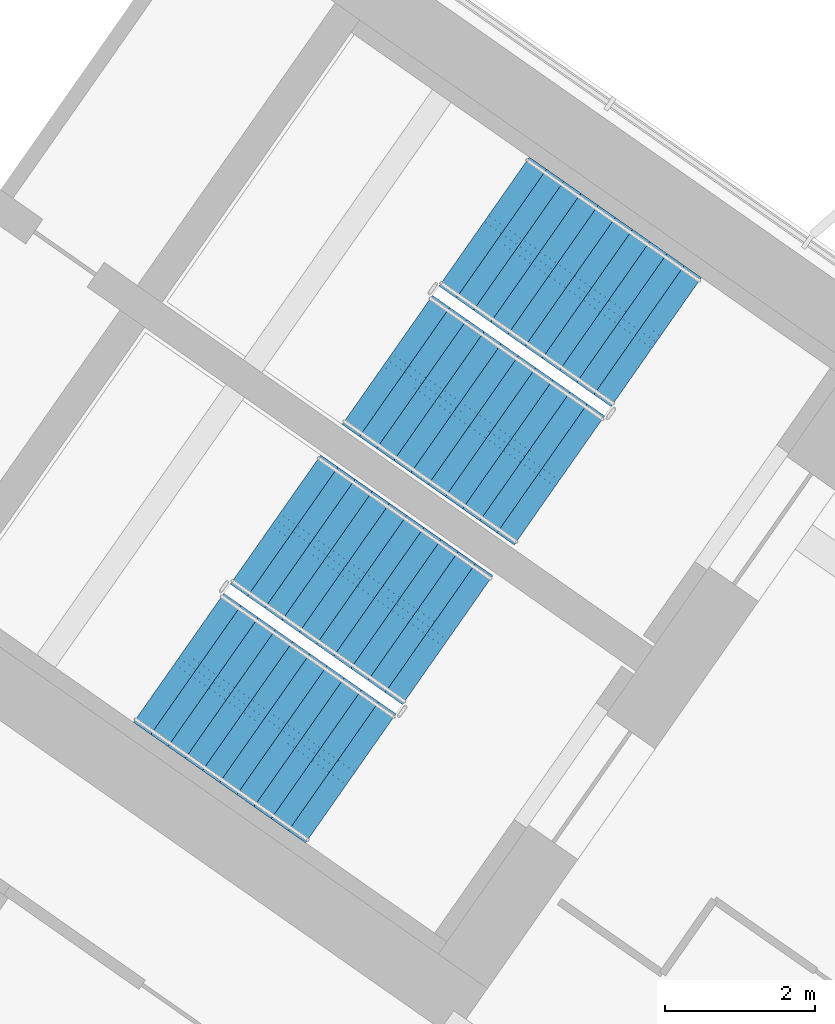
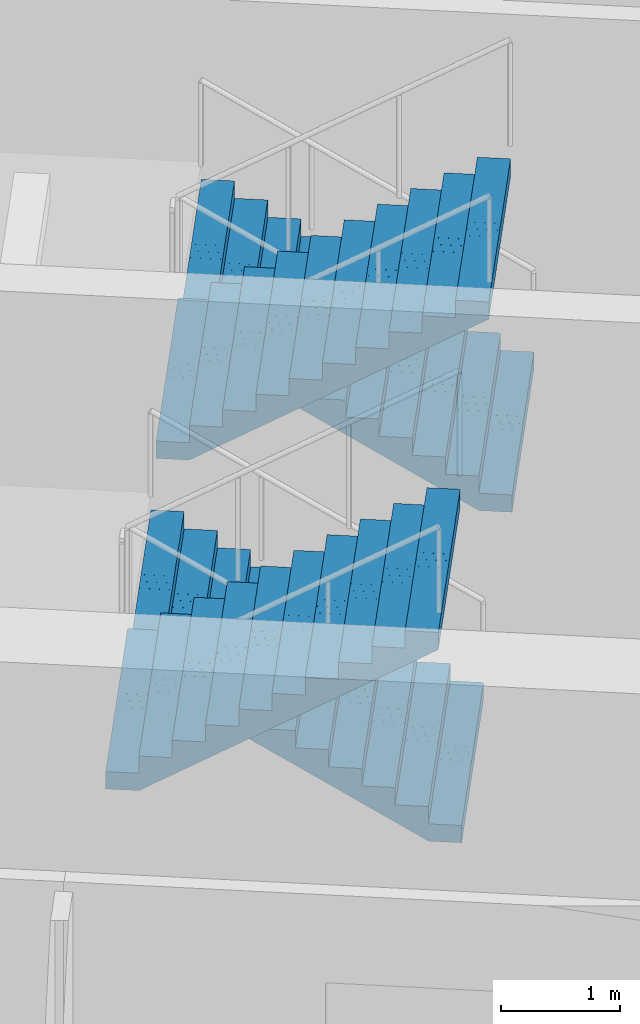
# One storey, part 18 of 24: 4 stair flights, 2 elements without a shape of their own.
"""IFC4 building model written with IfcOpenShell, lengths in metres."""

from ifc_helpers import new_model, si_unit, direction, frame, origin, place, context, subcontext, project, spatial, polyline, outline, extrude, material, type_object, element, aggregate, save


model = new_model("IFC4")

# Units and contexts
model_context = context("Model", 3, precision=1e-05, world=origin(), true_north=direction((0.0, 1.0)))
body_context = subcontext(model_context, "Body", "Model", "MODEL_VIEW")
ifc_project = project(units=[si_unit("LENGTHUNIT", "METRE"), si_unit("AREAUNIT", "SQUARE_METRE"), si_unit("VOLUMEUNIT", "CUBIC_METRE"), si_unit("PLANEANGLEUNIT", "RADIAN"), si_unit("MASSUNIT", "GRAM", prefix="KILO")], contexts=[model_context])

# Site, building, storey
site_placement = place(None, origin())
site = spatial("IfcSite", under=ifc_project, at=site_placement, CompositionType="ELEMENT")
building_placement = place(site_placement, origin())
building = spatial("IfcBuilding", under=site, at=building_placement, Name="Tel Ilan Convention Tower", CompositionType="ELEMENT")
storey_placement = place(building_placement, frame((0.0, 0.0, 167.10009765625)))
storey = spatial("IfcBuildingStorey", under=building, at=storey_placement, Name="L38", CompositionType="ELEMENT", Elevation=167.10009765625)

# Stair, stair flights
ifc_material_1 = material(Name="Concrete C40/50", Category="concrete")
stair_type = type_object("IfcStairType", Name="Pressurised Exit Stair 22 risers 177 mm", PredefinedType="HALF_TURN_STAIR", material=ifc_material_1)
stair_1_placement = place(storey_placement, origin())
stair_1 = element("IfcStair", 1, at=stair_1_placement, inside=storey, type_object=stair_type, Name="L38 Pressurised Stair S3", PredefinedType="HALF_TURN_STAIR")
ifc_material_2 = material(Name="Precast Concrete C40/50", Category="concrete")
stair_flight_type = type_object("IfcStairFlightType", Name="Concrete Stair Flight 2100 mm 22 risers 177 mm", PredefinedType="STRAIGHT", material=ifc_material_2)
stair_flight_1_placement = place(storey_placement, frame((24.25244140625, -7.032470703125, 0.0), z_axis=(0.0, 0.0, 1.0), x_axis=(-0.819152044289, 0.573576436351, 0.0)))
stair_flight_1 = element("IfcStairFlight", 2, at=stair_flight_1_placement, type_object=stair_flight_type, Name="S3 flight 1", NumberOfRisers=11, NumberOfTreads=10, PredefinedType="STRAIGHT", RiserHeight=0.177272727, TreadLength=0.28, context=body_context, shape_type="SweptSolid", body=[
    extrude(outline(polyline([(0.0, 0.0), (0.0, 0.17724609375), (0.280029296875, 0.17724609375), (0.280029296875, 0.3544921875), (0.56005859375, 0.3544921875), (0.56005859375, 0.53173828125), (0.840087890625, 0.53173828125), (0.840087890625, 0.708984375), (1.1201171875, 0.708984375), (1.1201171875, 0.886474609375), (1.39990234375, 0.886474609375), (1.39990234375, 1.063720703125), (1.679931640625, 1.063720703125), (1.679931640625, 1.240966796875), (1.9599609375, 1.240966796875), (1.9599609375, 1.418212890625), (2.239990234375, 1.418212890625), (2.239990234375, 1.595458984375), (2.52001953125, 1.595458984375), (2.52001953125, 1.772705078125), (2.800048828125, 1.772705078125), (2.800048828125, 1.949951171875), (2.800048828125, 1.59521484375), (0.2802734375, 0.0), (0.0, 0.0)])), frame((0.0, -0.100341796875, 0.0), z_axis=(0.0, -1.0, 0.0), x_axis=(1.0, 0.0, 0.0)), (0.0, 0.0, 1.0), 0.94970703125),
    extrude(outline(polyline([(0.0, 0.0), (0.0, 0.17724609375), (0.280029296875, 0.17724609375), (0.280029296875, 0.3544921875), (0.56005859375, 0.3544921875), (0.56005859375, 0.53173828125), (0.840087890625, 0.53173828125), (0.840087890625, 0.708984375), (1.1201171875, 0.708984375), (1.1201171875, 0.886474609375), (1.39990234375, 0.886474609375), (1.39990234375, 1.063720703125), (1.679931640625, 1.063720703125), (1.679931640625, 1.240966796875), (1.9599609375, 1.240966796875), (1.9599609375, 1.418212890625), (2.239990234375, 1.418212890625), (2.239990234375, 1.595458984375), (2.52001953125, 1.595458984375), (2.52001953125, 1.772705078125), (2.800048828125, 1.772705078125), (2.800048828125, 1.949951171875), (2.800048828125, 1.59521484375), (0.2802734375, 0.0), (0.0, 0.0)])), frame((0.0, -0.000244140625, 0.0), z_axis=(0.0, -1.0, 0.0), x_axis=(1.0, 0.0, 0.0)), (0.0, 0.0, 1.0), 0.099609375),
    extrude(outline(polyline([(0.0, 0.0), (0.0, 0.17724609375), (0.280029296875, 0.17724609375), (0.280029296875, 0.3544921875), (0.56005859375, 0.3544921875), (0.56005859375, 0.53173828125), (0.840087890625, 0.53173828125), (0.840087890625, 0.708984375), (1.1201171875, 0.708984375), (1.1201171875, 0.886474609375), (1.39990234375, 0.886474609375), (1.39990234375, 1.063720703125), (1.679931640625, 1.063720703125), (1.679931640625, 1.240966796875), (1.9599609375, 1.240966796875), (1.9599609375, 1.418212890625), (2.239990234375, 1.418212890625), (2.239990234375, 1.595458984375), (2.52001953125, 1.595458984375), (2.52001953125, 1.772705078125), (2.800048828125, 1.772705078125), (2.800048828125, 1.949951171875), (2.800048828125, 1.59521484375), (0.2802734375, 0.0), (0.0, 0.0)])), frame((0.0, 0.099853515625, 0.0), z_axis=(0.0, -1.0, 0.0), x_axis=(1.0, 0.0, 0.0)), (0.0, 0.0, 1.0), 0.099609375),
    extrude(outline(polyline([(0.0, 0.0), (0.0, 0.17724609375), (0.280029296875, 0.17724609375), (0.280029296875, 0.3544921875), (0.56005859375, 0.3544921875), (0.56005859375, 0.53173828125), (0.840087890625, 0.53173828125), (0.840087890625, 0.708984375), (1.1201171875, 0.708984375), (1.1201171875, 0.886474609375), (1.39990234375, 0.886474609375), (1.39990234375, 1.063720703125), (1.679931640625, 1.063720703125), (1.679931640625, 1.240966796875), (1.9599609375, 1.240966796875), (1.9599609375, 1.418212890625), (2.239990234375, 1.418212890625), (2.239990234375, 1.595458984375), (2.52001953125, 1.595458984375), (2.52001953125, 1.772705078125), (2.800048828125, 1.772705078125), (2.800048828125, 1.949951171875), (2.800048828125, 1.59521484375), (0.2802734375, 0.0), (0.0, 0.0)])), frame((0.0, 1.050048828125, 0.0), z_axis=(0.0, -1.0, 0.0), x_axis=(1.0, 0.0, 0.0)), (0.0, 0.0, 1.0), 0.94970703125),
])
stair_flight_2_placement = place(storey_placement, frame((20.668212890625, -7.26953125, 1.949951171875), z_axis=(0.0, 0.0, 1.0), x_axis=(0.819152044289, -0.573576436351, 0.0)))
stair_flight_2 = element("IfcStairFlight", 3, at=stair_flight_2_placement, type_object=stair_flight_type, Name="S3 flight 2", NumberOfRisers=11, NumberOfTreads=10, PredefinedType="STRAIGHT", RiserHeight=0.177272727, TreadLength=0.28, context=body_context, shape_type="SweptSolid", body=[
    extrude(outline(polyline([(0.0, 0.0), (0.0, 0.17724609375), (0.280029296875, 0.17724609375), (0.280029296875, 0.3544921875), (0.56005859375, 0.3544921875), (0.56005859375, 0.53173828125), (0.840087890625, 0.53173828125), (0.840087890625, 0.708984375), (1.1201171875, 0.708984375), (1.1201171875, 0.886474609375), (1.39990234375, 0.886474609375), (1.39990234375, 1.063720703125), (1.679931640625, 1.063720703125), (1.679931640625, 1.240966796875), (1.9599609375, 1.240966796875), (1.9599609375, 1.418212890625), (2.239990234375, 1.418212890625), (2.239990234375, 1.595458984375), (2.52001953125, 1.595458984375), (2.52001953125, 1.772705078125), (2.800048828125, 1.772705078125), (2.800048828125, 1.949951171875), (2.800048828125, 1.59521484375), (0.2802734375, 0.0), (0.0, 0.0)])), frame((0.0, -0.100341796875, 0.0), z_axis=(0.0, -1.0, 0.0), x_axis=(1.0, 0.0, 0.0)), (0.0, 0.0, 1.0), 0.94970703125),
    extrude(outline(polyline([(0.0, 0.0), (0.0, 0.17724609375), (0.280029296875, 0.17724609375), (0.280029296875, 0.3544921875), (0.56005859375, 0.3544921875), (0.56005859375, 0.53173828125), (0.840087890625, 0.53173828125), (0.840087890625, 0.708984375), (1.1201171875, 0.708984375), (1.1201171875, 0.886474609375), (1.39990234375, 0.886474609375), (1.39990234375, 1.063720703125), (1.679931640625, 1.063720703125), (1.679931640625, 1.240966796875), (1.9599609375, 1.240966796875), (1.9599609375, 1.418212890625), (2.239990234375, 1.418212890625), (2.239990234375, 1.595458984375), (2.52001953125, 1.595458984375), (2.52001953125, 1.772705078125), (2.800048828125, 1.772705078125), (2.800048828125, 1.949951171875), (2.800048828125, 1.59521484375), (0.2802734375, 0.0), (0.0, 0.0)])), frame((0.0, -0.000244140625, 0.0), z_axis=(0.0, -1.0, 0.0), x_axis=(1.0, 0.0, 0.0)), (0.0, 0.0, 1.0), 0.099609375),
    extrude(outline(polyline([(0.0, 0.0), (0.0, 0.17724609375), (0.280029296875, 0.17724609375), (0.280029296875, 0.3544921875), (0.56005859375, 0.3544921875), (0.56005859375, 0.53173828125), (0.840087890625, 0.53173828125), (0.840087890625, 0.708984375), (1.1201171875, 0.708984375), (1.1201171875, 0.886474609375), (1.39990234375, 0.886474609375), (1.39990234375, 1.063720703125), (1.679931640625, 1.063720703125), (1.679931640625, 1.240966796875), (1.9599609375, 1.240966796875), (1.9599609375, 1.418212890625), (2.239990234375, 1.418212890625), (2.239990234375, 1.595458984375), (2.52001953125, 1.595458984375), (2.52001953125, 1.772705078125), (2.800048828125, 1.772705078125), (2.800048828125, 1.949951171875), (2.800048828125, 1.59521484375), (0.2802734375, 0.0), (0.0, 0.0)])), frame((0.0, 0.099853515625, 0.0), z_axis=(0.0, -1.0, 0.0), x_axis=(1.0, 0.0, 0.0)), (0.0, 0.0, 1.0), 0.099609375),
    extrude(outline(polyline([(0.0, 0.0), (0.0, 0.17724609375), (0.280029296875, 0.17724609375), (0.280029296875, 0.3544921875), (0.56005859375, 0.3544921875), (0.56005859375, 0.53173828125), (0.840087890625, 0.53173828125), (0.840087890625, 0.708984375), (1.1201171875, 0.708984375), (1.1201171875, 0.886474609375), (1.39990234375, 0.886474609375), (1.39990234375, 1.063720703125), (1.679931640625, 1.063720703125), (1.679931640625, 1.240966796875), (1.9599609375, 1.240966796875), (1.9599609375, 1.418212890625), (2.239990234375, 1.418212890625), (2.239990234375, 1.595458984375), (2.52001953125, 1.595458984375), (2.52001953125, 1.772705078125), (2.800048828125, 1.772705078125), (2.800048828125, 1.949951171875), (2.800048828125, 1.59521484375), (0.2802734375, 0.0), (0.0, 0.0)])), frame((0.0, 1.050048828125, 0.0), z_axis=(0.0, -1.0, 0.0), x_axis=(1.0, 0.0, 0.0)), (0.0, 0.0, 1.0), 0.94970703125),
])
aggregate(stair_1, [stair_flight_1, stair_flight_2])

stair_2_placement = place(storey_placement, origin())
stair_2 = element("IfcStair", 4, at=stair_2_placement, inside=storey, type_object=stair_type, Name="L38 Pressurised Stair S4", PredefinedType="HALF_TURN_STAIR")
stair_flight_3_placement = place(storey_placement, frame((21.470458984375, -11.00537109375, 0.0), z_axis=(0.0, 0.0, 1.0), x_axis=(-0.819152044289, 0.573576436351, 0.0)))
stair_flight_3 = element("IfcStairFlight", 5, at=stair_flight_3_placement, type_object=stair_flight_type, Name="S4 flight 1", NumberOfRisers=11, NumberOfTreads=10, PredefinedType="STRAIGHT", RiserHeight=0.177272727, TreadLength=0.28, context=body_context, shape_type="SweptSolid", body=[
    extrude(outline(polyline([(0.0, 0.0), (0.0, 0.17724609375), (0.280029296875, 0.17724609375), (0.280029296875, 0.3544921875), (0.56005859375, 0.3544921875), (0.56005859375, 0.53173828125), (0.840087890625, 0.53173828125), (0.840087890625, 0.708984375), (1.1201171875, 0.708984375), (1.1201171875, 0.886474609375), (1.39990234375, 0.886474609375), (1.39990234375, 1.063720703125), (1.679931640625, 1.063720703125), (1.679931640625, 1.240966796875), (1.9599609375, 1.240966796875), (1.9599609375, 1.418212890625), (2.239990234375, 1.418212890625), (2.239990234375, 1.595458984375), (2.52001953125, 1.595458984375), (2.52001953125, 1.772705078125), (2.800048828125, 1.772705078125), (2.800048828125, 1.949951171875), (2.800048828125, 1.59521484375), (0.2802734375, 0.0), (0.0, 0.0)])), frame((0.0, -0.100341796875, 0.0), z_axis=(0.0, -1.0, 0.0), x_axis=(1.0, 0.0, 0.0)), (0.0, 0.0, 1.0), 0.94970703125),
    extrude(outline(polyline([(0.0, 0.0), (0.0, 0.17724609375), (0.280029296875, 0.17724609375), (0.280029296875, 0.3544921875), (0.56005859375, 0.3544921875), (0.56005859375, 0.53173828125), (0.840087890625, 0.53173828125), (0.840087890625, 0.708984375), (1.1201171875, 0.708984375), (1.1201171875, 0.886474609375), (1.39990234375, 0.886474609375), (1.39990234375, 1.063720703125), (1.679931640625, 1.063720703125), (1.679931640625, 1.240966796875), (1.9599609375, 1.240966796875), (1.9599609375, 1.418212890625), (2.239990234375, 1.418212890625), (2.239990234375, 1.595458984375), (2.52001953125, 1.595458984375), (2.52001953125, 1.772705078125), (2.800048828125, 1.772705078125), (2.800048828125, 1.949951171875), (2.800048828125, 1.59521484375), (0.2802734375, 0.0), (0.0, 0.0)])), frame((0.0, -0.000244140625, 0.0), z_axis=(0.0, -1.0, 0.0), x_axis=(1.0, 0.0, 0.0)), (0.0, 0.0, 1.0), 0.099609375),
    extrude(outline(polyline([(0.0, 0.0), (0.0, 0.17724609375), (0.280029296875, 0.17724609375), (0.280029296875, 0.3544921875), (0.56005859375, 0.3544921875), (0.56005859375, 0.53173828125), (0.840087890625, 0.53173828125), (0.840087890625, 0.708984375), (1.1201171875, 0.708984375), (1.1201171875, 0.886474609375), (1.39990234375, 0.886474609375), (1.39990234375, 1.063720703125), (1.679931640625, 1.063720703125), (1.679931640625, 1.240966796875), (1.9599609375, 1.240966796875), (1.9599609375, 1.418212890625), (2.239990234375, 1.418212890625), (2.239990234375, 1.595458984375), (2.52001953125, 1.595458984375), (2.52001953125, 1.772705078125), (2.800048828125, 1.772705078125), (2.800048828125, 1.949951171875), (2.800048828125, 1.59521484375), (0.2802734375, 0.0), (0.0, 0.0)])), frame((0.0, 0.099853515625, 0.0), z_axis=(0.0, -1.0, 0.0), x_axis=(1.0, 0.0, 0.0)), (0.0, 0.0, 1.0), 0.099609375),
    extrude(outline(polyline([(0.0, 0.0), (0.0, 0.17724609375), (0.280029296875, 0.17724609375), (0.280029296875, 0.3544921875), (0.56005859375, 0.3544921875), (0.56005859375, 0.53173828125), (0.840087890625, 0.53173828125), (0.840087890625, 0.708984375), (1.1201171875, 0.708984375), (1.1201171875, 0.886474609375), (1.39990234375, 0.886474609375), (1.39990234375, 1.063720703125), (1.679931640625, 1.063720703125), (1.679931640625, 1.240966796875), (1.9599609375, 1.240966796875), (1.9599609375, 1.418212890625), (2.239990234375, 1.418212890625), (2.239990234375, 1.595458984375), (2.52001953125, 1.595458984375), (2.52001953125, 1.772705078125), (2.800048828125, 1.772705078125), (2.800048828125, 1.949951171875), (2.800048828125, 1.59521484375), (0.2802734375, 0.0), (0.0, 0.0)])), frame((0.0, 1.050048828125, 0.0), z_axis=(0.0, -1.0, 0.0), x_axis=(1.0, 0.0, 0.0)), (0.0, 0.0, 1.0), 0.94970703125),
])
stair_flight_4_placement = place(storey_placement, frame((17.886474609375, -11.242431640625, 1.949951171875), z_axis=(0.0, 0.0, 1.0), x_axis=(0.819152044289, -0.573576436351, 0.0)))
stair_flight_4 = element("IfcStairFlight", 6, at=stair_flight_4_placement, type_object=stair_flight_type, Name="S4 flight 2", NumberOfRisers=11, NumberOfTreads=10, PredefinedType="STRAIGHT", RiserHeight=0.177272727, TreadLength=0.28, context=body_context, shape_type="SweptSolid", body=[
    extrude(outline(polyline([(0.0, 0.0), (0.0, 0.17724609375), (0.280029296875, 0.17724609375), (0.280029296875, 0.3544921875), (0.56005859375, 0.3544921875), (0.56005859375, 0.53173828125), (0.840087890625, 0.53173828125), (0.840087890625, 0.708984375), (1.1201171875, 0.708984375), (1.1201171875, 0.886474609375), (1.39990234375, 0.886474609375), (1.39990234375, 1.063720703125), (1.679931640625, 1.063720703125), (1.679931640625, 1.240966796875), (1.9599609375, 1.240966796875), (1.9599609375, 1.418212890625), (2.239990234375, 1.418212890625), (2.239990234375, 1.595458984375), (2.52001953125, 1.595458984375), (2.52001953125, 1.772705078125), (2.800048828125, 1.772705078125), (2.800048828125, 1.949951171875), (2.800048828125, 1.59521484375), (0.2802734375, 0.0), (0.0, 0.0)])), frame((0.0, -0.100341796875, 0.0), z_axis=(0.0, -1.0, 0.0), x_axis=(1.0, 0.0, 0.0)), (0.0, 0.0, 1.0), 0.94970703125),
    extrude(outline(polyline([(0.0, 0.0), (0.0, 0.17724609375), (0.280029296875, 0.17724609375), (0.280029296875, 0.3544921875), (0.56005859375, 0.3544921875), (0.56005859375, 0.53173828125), (0.840087890625, 0.53173828125), (0.840087890625, 0.708984375), (1.1201171875, 0.708984375), (1.1201171875, 0.886474609375), (1.39990234375, 0.886474609375), (1.39990234375, 1.063720703125), (1.679931640625, 1.063720703125), (1.679931640625, 1.240966796875), (1.9599609375, 1.240966796875), (1.9599609375, 1.418212890625), (2.239990234375, 1.418212890625), (2.239990234375, 1.595458984375), (2.52001953125, 1.595458984375), (2.52001953125, 1.772705078125), (2.800048828125, 1.772705078125), (2.800048828125, 1.949951171875), (2.800048828125, 1.59521484375), (0.2802734375, 0.0), (0.0, 0.0)])), frame((0.0, -0.000244140625, 0.0), z_axis=(0.0, -1.0, 0.0), x_axis=(1.0, 0.0, 0.0)), (0.0, 0.0, 1.0), 0.099609375),
    extrude(outline(polyline([(0.0, 0.0), (0.0, 0.17724609375), (0.280029296875, 0.17724609375), (0.280029296875, 0.3544921875), (0.56005859375, 0.3544921875), (0.56005859375, 0.53173828125), (0.840087890625, 0.53173828125), (0.840087890625, 0.708984375), (1.1201171875, 0.708984375), (1.1201171875, 0.886474609375), (1.39990234375, 0.886474609375), (1.39990234375, 1.063720703125), (1.679931640625, 1.063720703125), (1.679931640625, 1.240966796875), (1.9599609375, 1.240966796875), (1.9599609375, 1.418212890625), (2.239990234375, 1.418212890625), (2.239990234375, 1.595458984375), (2.52001953125, 1.595458984375), (2.52001953125, 1.772705078125), (2.800048828125, 1.772705078125), (2.800048828125, 1.949951171875), (2.800048828125, 1.59521484375), (0.2802734375, 0.0), (0.0, 0.0)])), frame((0.0, 0.099853515625, 0.0), z_axis=(0.0, -1.0, 0.0), x_axis=(1.0, 0.0, 0.0)), (0.0, 0.0, 1.0), 0.099609375),
    extrude(outline(polyline([(0.0, 0.0), (0.0, 0.17724609375), (0.280029296875, 0.17724609375), (0.280029296875, 0.3544921875), (0.56005859375, 0.3544921875), (0.56005859375, 0.53173828125), (0.840087890625, 0.53173828125), (0.840087890625, 0.708984375), (1.1201171875, 0.708984375), (1.1201171875, 0.886474609375), (1.39990234375, 0.886474609375), (1.39990234375, 1.063720703125), (1.679931640625, 1.063720703125), (1.679931640625, 1.240966796875), (1.9599609375, 1.240966796875), (1.9599609375, 1.418212890625), (2.239990234375, 1.418212890625), (2.239990234375, 1.595458984375), (2.52001953125, 1.595458984375), (2.52001953125, 1.772705078125), (2.800048828125, 1.772705078125), (2.800048828125, 1.949951171875), (2.800048828125, 1.59521484375), (0.2802734375, 0.0), (0.0, 0.0)])), frame((0.0, 1.050048828125, 0.0), z_axis=(0.0, -1.0, 0.0), x_axis=(1.0, 0.0, 0.0)), (0.0, 0.0, 1.0), 0.94970703125),
])
aggregate(stair_2, [stair_flight_3, stair_flight_4])

save(model, "model.ifc")
